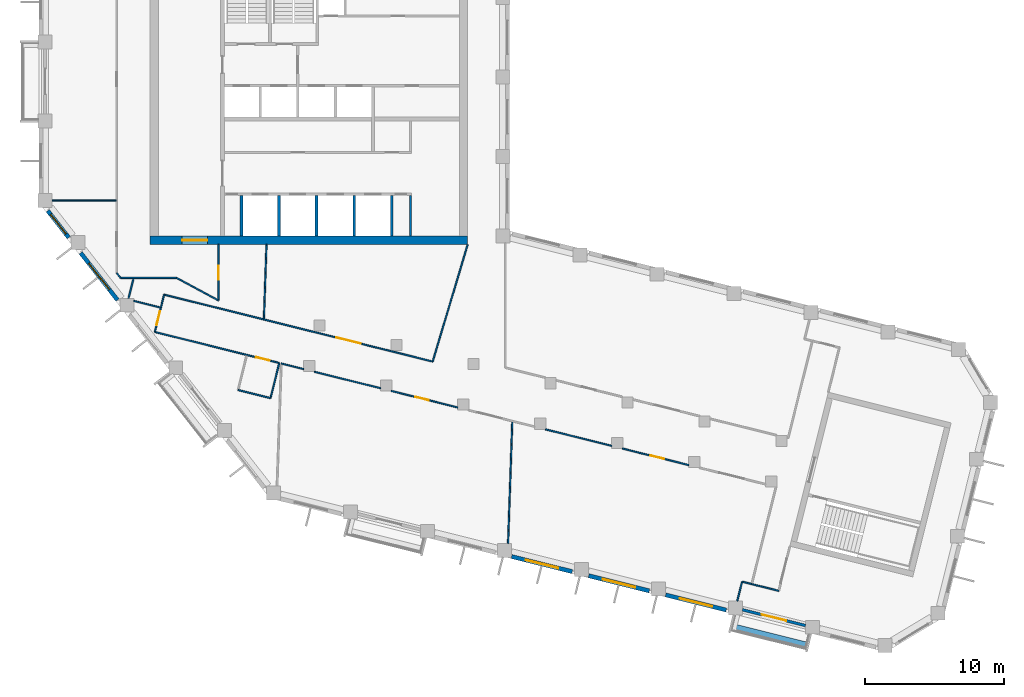
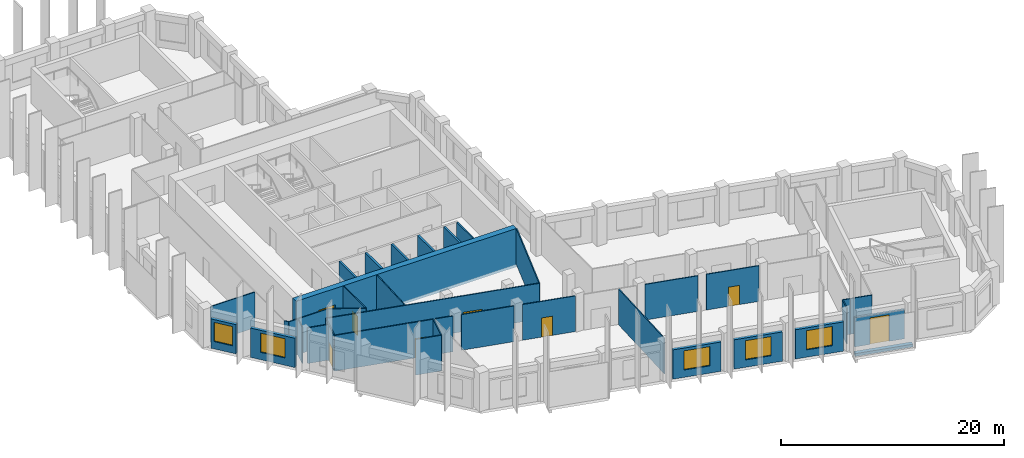
# One storey, part 3 of 9: 37 walls, 8 doors, 5 windows, 13 openings.
"""IFC4 building model written with IfcOpenShell, lengths in metres."""

from ifc_helpers import new_model, si_unit, direction, frame, frame_2d, origin, place, context, subcontext, project, spatial, rectangle, extrude, material, layer, layer_set, type_object, element, fill, save


model = new_model("IFC4")

# Units and contexts
model_context = context("Model", 3, precision=1e-05, world=origin(), true_north=direction((0.0, 1.0)))
body_context = subcontext(model_context, "Body", "Model", "MODEL_VIEW")
ifc_project = project(units=[si_unit("LENGTHUNIT", "METRE"), si_unit("AREAUNIT", "SQUARE_METRE"), si_unit("VOLUMEUNIT", "CUBIC_METRE"), si_unit("PLANEANGLEUNIT", "RADIAN"), si_unit("MASSUNIT", "GRAM", prefix="KILO")], contexts=[model_context])

# Site, building, storey
site_placement = place(None, origin())
site = spatial("IfcSite", under=ifc_project, at=site_placement, CompositionType="ELEMENT")
building_placement = place(site_placement, origin())
building = spatial("IfcBuilding", under=site, at=building_placement, Name="Meshkara Civic Tower", CompositionType="ELEMENT")
storey_placement = place(building_placement, frame((0.0, 0.0, 340.199951171875)))
storey = spatial("IfcBuildingStorey", under=building, at=storey_placement, Name="L78", CompositionType="ELEMENT", Elevation=340.199951171875)

# Wall
ifc_material_1 = material(Name="Blockwork", Category="masonry")
ifc_layer_1 = layer(ifc_material_1, 0.14990234375)
ifc_layer_set_1 = layer_set([ifc_layer_1], Name="Core partition 150")
wall_type_1 = type_object("IfcWallType", Name="Core partition 150", PredefinedType="PARTITIONING", material=ifc_layer_set_1)
wall_1_placement = place(storey_placement, frame((26.699951171875, 14.699951171875, 0.0), z_axis=(0.0, 0.0, 1.0), x_axis=(0.0, 1.0, 0.0)))
element("IfcWall", 1, at=wall_1_placement, inside=storey, type_object=wall_type_1, Name="L78-C024", PredefinedType="PARTITIONING", context=body_context, shape_type="SweptSolid", body=[
    extrude(rectangle(XDim=2.900146484375, YDim=0.14990234375, at=frame_2d((1.4501953125, 0.0))), origin(), (0.0, 0.0, 1.0), 3.900146484375),
])

# Wall, opening, door
ifc_material_2 = material(Name="Concrete C60", Category="concrete")
ifc_layer_2 = layer(ifc_material_2, 0.60009765625)
ifc_layer_set_2 = layer_set([ifc_layer_2], Name="Core ring wall 600 C60")
wall_type_2 = type_object("IfcWallType", Name="Core ring wall 600 C60", PredefinedType="SHEAR", material=ifc_layer_set_2)
wall_2_placement = place(storey_placement, frame((8.0, 14.39990234375, -0.300048828125), z_axis=(0.0, 0.0, 1.0), x_axis=(1.0, 0.0, 0.0)))
wall_2 = element("IfcWall", 2, at=wall_2_placement, inside=storey, type_object=wall_type_2, Name="L78-C001", PredefinedType="SHEAR", context=body_context, shape_type="SweptSolid", body=[
    extrude(rectangle(XDim=22.800048828125, YDim=0.60009765625, at=frame_2d((11.39990234375, 0.0))), origin(), (0.0, 0.0, 1.0), 4.2001953125),
])
opening_1_placement = place(wall_2_placement, frame((2.300048828125, 0.0, 0.300048828125)))
opening_1 = element("IfcOpeningElement", 3, at=opening_1_placement, cuts=wall_2, Name="Opening L78-K022", PredefinedType="OPENING", context=body_context, shape_type="SweptSolid", body=[
    extrude(rectangle(XDim=1.800048828125, YDim=2.10009765625, at=frame_2d((0.89990234375, 1.050048828125))), frame((0.0, 0.31005859375, 0.0), z_axis=(0.0, -1.0, 0.0), x_axis=(1.0, 0.0, 0.0)), (0.0, 0.0, 1.0), 0.6201171875),
])
ifc_material_3 = material(Name="Fire-rated door leaf in steel frame", Category="steel")
door_type_1 = type_object("IfcDoorType", Name="Core double door 1800 EI 60", OperationType="DOUBLE_DOOR_SINGLE_SWING", PredefinedType="DOOR", material=ifc_material_3)
door_1_placement = place(opening_1_placement, origin())
door_1 = element("IfcDoor", 4, at=door_1_placement, inside=storey, type_object=door_type_1, Name="L78-K022", OperationType="DOUBLE_DOOR_SINGLE_SWING", OverallHeight=2.10009765625, OverallWidth=1.800048828125, PredefinedType="DOOR", context=body_context, shape_type="SweptSolid", body=[
    extrude(rectangle(XDim=1.800048828125, YDim=2.10009765625, at=frame_2d((0.89990234375, 1.050048828125))), frame((0.0, 0.02490234375, 0.0), z_axis=(0.0, -1.0, 0.0), x_axis=(1.0, 0.0, 0.0)), (0.0, 0.0, 1.0), 0.050048828125),
])
fill(opening_1, door_1)

# Walls
ifc_material_4 = material(Name="Corridor wall 100")
ifc_layer_3 = layer(ifc_material_4, 0.10009765625)
ifc_layer_set_3 = layer_set([ifc_layer_3], Name="Corridor wall 100")
wall_type_3 = type_object("IfcWallType", Name="Corridor wall 100", PredefinedType="PARTITIONING", material=ifc_layer_set_3)
wall_3_placement = place(storey_placement, frame((5.60009765625, 12.0439453125, 0.0), z_axis=(0.0, 0.0, 1.0), x_axis=(0.614328236968, -0.789050579661, 0.0)))
element("IfcWall", 5, at=wall_3_placement, inside=storey, type_object=wall_type_3, Name="L78-W003", PredefinedType="PARTITIONING", context=body_context, shape_type="SweptSolid", body=[
    extrude(rectangle(XDim=0.43603515625, YDim=0.10009765625, at=frame_2d((0.218017578125, 0.0))), origin(), (0.0, 0.0, 1.0), 3.900146484375),
])
wall_4_placement = place(storey_placement, frame((5.867919921875, 11.699951171875, 0.0), z_axis=(0.0, 0.0, 1.0), x_axis=(1.0, 0.0, 0.0)))
element("IfcWall", 6, at=wall_4_placement, inside=storey, type_object=wall_type_3, Name="L78-W006", PredefinedType="PARTITIONING", context=body_context, shape_type="SweptSolid", body=[
    extrude(rectangle(XDim=4.031982421875, YDim=0.10009765625, at=frame_2d((2.01611328125, 0.0))), origin(), (0.0, 0.0, 1.0), 3.900146484375),
])

# Wall, opening, door
wall_5_placement = place(storey_placement, frame((8.3330078125, 7.81494140625, 0.0), z_axis=(0.0, 0.0, 1.0), x_axis=(0.970301331289, -0.241899414012, 0.0)))
wall_5 = element("IfcWall", 7, at=wall_5_placement, inside=storey, type_object=wall_type_3, Name="L78-W007", PredefinedType="PARTITIONING", context=body_context, shape_type="SweptSolid", body=[
    extrude(rectangle(XDim=9.21044921875, YDim=0.10009765625, at=frame_2d((4.605224609375, 0.0))), origin(), (0.0, 0.0, 1.0), 3.900146484375),
])
opening_2_placement = place(wall_5_placement, frame((7.489990234375, 0.0, 0.0)))
opening_2 = element("IfcOpeningElement", 8, at=opening_2_placement, cuts=wall_5, Name="Opening L78-D004", PredefinedType="OPENING", context=body_context, shape_type="SweptSolid", body=[
    extrude(rectangle(XDim=1.0, YDim=2.10009765625, at=frame_2d((0.5, 1.050048828125))), frame((0.0, 0.06005859375, 0.0), z_axis=(0.0, -1.0, 0.0), x_axis=(1.0, 0.0, 0.0)), (0.0, 0.0, 1.0), 0.1201171875),
])
ifc_material_5 = material(Name="Door 1000 x 2100")
door_type_2 = type_object("IfcDoorType", Name="Door 1000 x 2100", OperationType="SINGLE_SWING_LEFT", PredefinedType="DOOR", material=ifc_material_5)
door_2_placement = place(opening_2_placement, origin())
door_2 = element("IfcDoor", 9, at=door_2_placement, inside=storey, type_object=door_type_2, Name="L78-D004", OperationType="SINGLE_SWING_RIGHT", OverallHeight=2.10009765625, OverallWidth=1.0, PredefinedType="DOOR", context=body_context, shape_type="SweptSolid", body=[
    extrude(rectangle(XDim=1.0, YDim=2.10009765625, at=frame_2d((0.5, 1.050048828125))), frame((0.0, 0.02490234375, 0.0), z_axis=(0.0, -1.0, 0.0), x_axis=(1.0, 0.0, 0.0)), (0.0, 0.0, 1.0), 0.050048828125),
])
fill(opening_2, door_2)

wall_6_placement = place(storey_placement, frame((9.001953125, 10.4990234375, 0.0), z_axis=(0.0, 0.0, 1.0), x_axis=(0.970298340477, -0.241911410372, 0.0)))
wall_6 = element("IfcWall", 10, at=wall_6_placement, inside=storey, type_object=wall_type_3, Name="L78-W008", PredefinedType="PARTITIONING", context=body_context, shape_type="SweptSolid", body=[
    extrude(rectangle(XDim=19.879638671875, YDim=0.10009765625, at=frame_2d((9.93994140625, 0.0))), origin(), (0.0, 0.0, 1.0), 3.900146484375),
])
opening_3_placement = place(wall_6_placement, frame((12.7490234375, 0.0, 0.0)))
opening_3 = element("IfcOpeningElement", 11, at=opening_3_placement, cuts=wall_6, Name="Opening L78-D010", PredefinedType="OPENING", context=body_context, shape_type="SweptSolid", body=[
    extrude(rectangle(XDim=1.800048828125, YDim=2.10009765625, at=frame_2d((0.89990234375, 1.050048828125))), frame((0.0, 0.06005859375, 0.0), z_axis=(0.0, -1.0, 0.0), x_axis=(1.0, 0.0, 0.0)), (0.0, 0.0, 1.0), 0.1201171875),
])
ifc_material_6 = material(Name="Door pair 1800 x 2100")
door_type_3 = type_object("IfcDoorType", Name="Door pair 1800 x 2100", OperationType="SINGLE_SWING_LEFT", PredefinedType="DOOR", material=ifc_material_6)
door_3_placement = place(opening_3_placement, origin())
door_3 = element("IfcDoor", 12, at=door_3_placement, inside=storey, type_object=door_type_3, Name="L78-D010", OperationType="DOUBLE_DOOR_SINGLE_SWING", OverallHeight=2.10009765625, OverallWidth=1.800048828125, PredefinedType="DOOR", context=body_context, shape_type="SweptSolid", body=[
    extrude(rectangle(XDim=1.800048828125, YDim=2.10009765625, at=frame_2d((0.89990234375, 1.050048828125))), frame((0.0, 0.02490234375, 0.0), z_axis=(0.0, -1.0, 0.0), x_axis=(1.0, 0.0, 0.0)), (0.0, 0.0, 1.0), 0.050048828125),
])
fill(opening_3, door_3)

wall_7_placement = place(storey_placement, frame((9.001953125, 10.4990234375, 0.0), z_axis=(0.0, 0.0, 1.0), x_axis=(-0.2418294893, -0.970318761081, 0.0)))
wall_7 = element("IfcWall", 13, at=wall_7_placement, inside=storey, type_object=wall_type_3, Name="L78-W009", PredefinedType="PARTITIONING", context=body_context, shape_type="SweptSolid", body=[
    extrude(rectangle(XDim=2.76611328125, YDim=0.10009765625, at=frame_2d((1.383056640625, 0.0))), origin(), (0.0, 0.0, 1.0), 3.900146484375),
])
opening_4_placement = place(wall_7_placement, frame((1.243896484375, 0.0, 0.0)))
opening_4 = element("IfcOpeningElement", 14, at=opening_4_placement, cuts=wall_7, Name="Opening L78-D009", PredefinedType="OPENING", context=body_context, shape_type="SweptSolid", body=[
    extrude(rectangle(XDim=1.0, YDim=2.10009765625, at=frame_2d((0.5, 1.050048828125))), frame((0.0, 0.06005859375, 0.0), z_axis=(0.0, -1.0, 0.0), x_axis=(1.0, 0.0, 0.0)), (0.0, 0.0, 1.0), 0.1201171875),
])
door_4_placement = place(opening_4_placement, origin())
door_4 = element("IfcDoor", 15, at=door_4_placement, inside=storey, type_object=door_type_2, Name="L78-D009", OperationType="SINGLE_SWING_RIGHT", OverallHeight=2.10009765625, OverallWidth=1.0, PredefinedType="DOOR", context=body_context, shape_type="SweptSolid", body=[
    extrude(rectangle(XDim=1.0, YDim=2.10009765625, at=frame_2d((0.5, 1.050048828125))), frame((0.0, 0.02490234375, 0.0), z_axis=(0.0, -1.0, 0.0), x_axis=(1.0, 0.0, 0.0)), (0.0, 0.0, 1.0), 0.050048828125),
])
fill(opening_4, door_4)

# Wall
wall_8_placement = place(storey_placement, frame((9.89990234375, 11.699951171875, 0.0), z_axis=(0.0, 0.0, 1.0), x_axis=(0.87965147249, -0.475618846291, 0.0)))
element("IfcWall", 16, at=wall_8_placement, inside=storey, type_object=wall_type_3, Name="L78-W010", PredefinedType="PARTITIONING", context=body_context, shape_type="SweptSolid", body=[
    extrude(rectangle(XDim=3.410400390625, YDim=0.10009765625, at=frame_2d((1.705078125, 0.0))), origin(), (0.0, 0.0, 1.0), 3.900146484375),
])

# Wall, opening, door
wall_9_placement = place(storey_placement, frame((12.89990234375, 10.077880859375, 0.0), z_axis=(0.0, 0.0, 1.0), x_axis=(0.0, 1.0, 0.0)))
wall_9 = element("IfcWall", 17, at=wall_9_placement, inside=storey, type_object=wall_type_3, Name="L78-W015", PredefinedType="PARTITIONING", context=body_context, shape_type="SweptSolid", body=[
    extrude(rectangle(XDim=4.022216796875, YDim=0.10009765625, at=frame_2d((2.01123046875, 0.0))), origin(), (0.0, 0.0, 1.0), 3.900146484375),
])
opening_5_placement = place(wall_9_placement, frame((1.47998046875, 0.0, 0.0)))
opening_5 = element("IfcOpeningElement", 18, at=opening_5_placement, cuts=wall_9, Name="Opening L78-D013", PredefinedType="OPENING", context=body_context, shape_type="SweptSolid", body=[
    extrude(rectangle(XDim=1.0, YDim=2.10009765625, at=frame_2d((0.5, 1.050048828125))), frame((0.0, 0.06005859375, 0.0), z_axis=(0.0, -1.0, 0.0), x_axis=(1.0, 0.0, 0.0)), (0.0, 0.0, 1.0), 0.1201171875),
])
door_5_placement = place(opening_5_placement, origin())
door_5 = element("IfcDoor", 19, at=door_5_placement, inside=storey, type_object=door_type_2, Name="L78-D013", OperationType="SINGLE_SWING_RIGHT", OverallHeight=2.10009765625, OverallWidth=1.0, PredefinedType="DOOR", context=body_context, shape_type="SweptSolid", body=[
    extrude(rectangle(XDim=1.0, YDim=2.10009765625, at=frame_2d((0.5, 1.050048828125))), frame((0.0, 0.02490234375, 0.0), z_axis=(0.0, -1.0, 0.0), x_axis=(1.0, 0.0, 0.0)), (0.0, 0.0, 1.0), 0.050048828125),
])
fill(opening_5, door_5)

# Walls
wall_10_placement = place(storey_placement, frame((17.4150390625, 5.551025390625, 0.0), z_axis=(0.0, 0.0, 1.0), x_axis=(0.970298198748, -0.241911978838, 0.0)))
element("IfcWall", 20, at=wall_10_placement, inside=storey, type_object=wall_type_3, Name="L78-W016", PredefinedType="PARTITIONING", context=body_context, shape_type="SweptSolid", body=[
    extrude(rectangle(XDim=1.658203125, YDim=0.10009765625, at=frame_2d((0.8291015625, 0.0))), origin(), (0.0, 0.0, 1.0), 3.900146484375),
])
wall_11_placement = place(storey_placement, frame((19.785888671875, 4.9599609375, 0.0), z_axis=(0.0, 0.0, 1.0), x_axis=(0.970288447449, -0.24195108751, 0.0)))
element("IfcWall", 21, at=wall_11_placement, inside=storey, type_object=wall_type_3, Name="L78-W017", PredefinedType="PARTITIONING", context=body_context, shape_type="SweptSolid", body=[
    extrude(rectangle(XDim=4.9140625, YDim=0.10009765625, at=frame_2d((2.45703125, 0.0))), origin(), (0.0, 0.0, 1.0), 3.900146484375),
])

# Wall, opening, door
wall_12_placement = place(storey_placement, frame((25.318115234375, 3.5810546875, 0.0), z_axis=(0.0, 0.0, 1.0), x_axis=(0.970320559999, -0.241822271189, 0.0)))
wall_12 = element("IfcWall", 22, at=wall_12_placement, inside=storey, type_object=wall_type_3, Name="L78-W020", PredefinedType="PARTITIONING", context=body_context, shape_type="SweptSolid", body=[
    extrude(rectangle(XDim=4.91259765625, YDim=0.10009765625, at=frame_2d((2.456298828125, 0.0))), origin(), (0.0, 0.0, 1.0), 3.900146484375),
])
opening_6_placement = place(wall_12_placement, frame((1.780029296875, 0.0, 0.0)))
opening_6 = element("IfcOpeningElement", 23, at=opening_6_placement, cuts=wall_12, Name="Opening L78-D005", PredefinedType="OPENING", context=body_context, shape_type="SweptSolid", body=[
    extrude(rectangle(XDim=1.0, YDim=2.10009765625, at=frame_2d((0.5, 1.050048828125))), frame((0.0, 0.06005859375, 0.0), z_axis=(0.0, -1.0, 0.0), x_axis=(1.0, 0.0, 0.0)), (0.0, 0.0, 1.0), 0.1201171875),
])
door_6_placement = place(opening_6_placement, origin())
door_6 = element("IfcDoor", 24, at=door_6_placement, inside=storey, type_object=door_type_2, Name="L78-D005", OperationType="SINGLE_SWING_RIGHT", OverallHeight=2.10009765625, OverallWidth=1.0, PredefinedType="DOOR", context=body_context, shape_type="SweptSolid", body=[
    extrude(rectangle(XDim=1.0, YDim=2.10009765625, at=frame_2d((0.5, 1.050048828125))), frame((0.0, 0.02490234375, 0.0), z_axis=(0.0, -1.0, 0.0), x_axis=(1.0, 0.0, 0.0)), (0.0, 0.0, 1.0), 0.050048828125),
])
fill(opening_6, door_6)

# Walls
wall_13_placement = place(storey_placement, frame((30.800048828125, 14.10009765625, 0.0), z_axis=(0.0, 0.0, 1.0), x_axis=(-0.28588265334, -0.958264633867, 0.0)))
element("IfcWall", 25, at=wall_13_placement, inside=storey, type_object=wall_type_3, Name="L78-W021", PredefinedType="PARTITIONING", context=body_context, shape_type="SweptSolid", body=[
    extrude(rectangle(XDim=8.7763671875, YDim=0.10009765625, at=frame_2d((4.38818359375, 0.0))), origin(), (0.0, 0.0, 1.0), 3.900146484375),
])
wall_14_placement = place(storey_placement, frame((36.382080078125, 0.822998046875, 0.0), z_axis=(0.0, 0.0, 1.0), x_axis=(0.970285656006, -0.241962281665, 0.0)))
element("IfcWall", 26, at=wall_14_placement, inside=storey, type_object=wall_type_3, Name="L78-W025", PredefinedType="PARTITIONING", context=body_context, shape_type="SweptSolid", body=[
    extrude(rectangle(XDim=4.909912109375, YDim=0.10009765625, at=frame_2d((2.455078125, 0.0))), origin(), (0.0, 0.0, 1.0), 3.900146484375),
])

# Wall, opening, door
wall_15_placement = place(storey_placement, frame((41.9130859375, -0.555908203125, 0.0), z_axis=(0.0, 0.0, 1.0), x_axis=(0.970285656006, -0.241962281665, 0.0)))
wall_15 = element("IfcWall", 27, at=wall_15_placement, inside=storey, type_object=wall_type_3, Name="L78-W027", PredefinedType="PARTITIONING", context=body_context, shape_type="SweptSolid", body=[
    extrude(rectangle(XDim=4.909912109375, YDim=0.10009765625, at=frame_2d((2.455078125, 0.0))), origin(), (0.0, 0.0, 1.0), 3.900146484375),
])
opening_7_placement = place(wall_15_placement, frame((2.080078125, 0.0, 0.0)))
opening_7 = element("IfcOpeningElement", 28, at=opening_7_placement, cuts=wall_15, Name="Opening L78-D002", PredefinedType="OPENING", context=body_context, shape_type="SweptSolid", body=[
    extrude(rectangle(XDim=1.0, YDim=2.10009765625, at=frame_2d((0.5, 1.050048828125))), frame((0.0, 0.06005859375, 0.0), z_axis=(0.0, -1.0, 0.0), x_axis=(1.0, 0.0, 0.0)), (0.0, 0.0, 1.0), 0.1201171875),
])
door_7_placement = place(opening_7_placement, origin())
door_7 = element("IfcDoor", 29, at=door_7_placement, inside=storey, type_object=door_type_2, Name="L78-D002", OperationType="SINGLE_SWING_LEFT", OverallHeight=2.10009765625, OverallWidth=1.0, PredefinedType="DOOR", context=body_context, shape_type="SweptSolid", body=[
    extrude(rectangle(XDim=1.0, YDim=2.10009765625, at=frame_2d((0.5, 1.050048828125))), frame((0.0, 0.02490234375, 0.0), z_axis=(0.0, -1.0, 0.0), x_axis=(1.0, 0.0, 0.0)), (0.0, 0.0, 1.0), 0.050048828125),
])
fill(opening_7, door_7)

# Wall
wall_16_placement = place(storey_placement, frame((51.200927734375, -10.2919921875, 0.0), z_axis=(0.0, 0.0, 1.0), x_axis=(0.970307382734, -0.241875139301, 0.0)))
element("IfcWall", 30, at=wall_16_placement, inside=storey, type_object=wall_type_3, Name="L78-W031", PredefinedType="PARTITIONING", context=body_context, shape_type="SweptSolid", body=[
    extrude(rectangle(XDim=2.00048828125, YDim=0.10009765625, at=frame_2d((1.000244140625, 0.0))), origin(), (0.0, 0.0, 1.0), 3.900146484375),
])

# Wall, opening, window
ifc_material_7 = material(Name="Insulated infill panel with bronze anodised aluminium cladding", Category="aluminium")
ifc_layer_4 = layer(ifc_material_7, 0.300048828125)
ifc_layer_set_4 = layer_set([ifc_layer_4], Name="EXTERNAL INFILL WALL 300")
wall_type_4 = type_object("IfcWallType", Name="EXTERNAL INFILL WALL 300", PredefinedType="SOLIDWALL", material=ifc_layer_set_4)
wall_17_placement = place(storey_placement, frame((0.64599609375, 16.51708984375, 0.0), z_axis=(0.0, 0.0, 1.0), x_axis=(0.615610986717, -0.788050197026, 0.0)))
wall_17 = element("IfcWall", 31, at=wall_17_placement, inside=storey, type_object=wall_type_4, Name="External wall", PredefinedType="SOLIDWALL", context=body_context, shape_type="SweptSolid", body=[
    extrude(rectangle(XDim=2.4365234375, YDim=0.300048828125, at=frame_2d((1.21826171875, 0.0))), origin(), (0.0, 0.0, 1.0), 3.199951171875),
])
opening_8_placement = place(wall_17_placement, frame((0.318115234375, 0.0, 0.800048828125)))
opening_8 = element("IfcOpeningElement", 32, at=opening_8_placement, cuts=wall_17, Name="Opening W9", PredefinedType="OPENING", context=body_context, shape_type="SweptSolid", body=[
    extrude(rectangle(XDim=1.800048828125, YDim=2.10009765625, at=frame_2d((0.89990234375, 1.050048828125))), frame((0.0, 0.159912109375, 0.0), z_axis=(0.0, -1.0, 0.0), x_axis=(1.0, 0.0, 0.0)), (0.0, 0.0, 1.0), 0.320068359375),
])
ifc_material_8 = material(Name="Tinted double glazing", Category="glass")
window_type_1 = type_object("IfcWindowType", Name="WINDOW 1800x2100", PartitioningType="DOUBLE_PANEL_VERTICAL", PredefinedType="WINDOW", material=ifc_material_8)
window_1_placement = place(opening_8_placement, origin())
window_1 = element("IfcWindow", 33, at=window_1_placement, inside=storey, type_object=window_type_1, Name="Window", OverallHeight=2.10009765625, OverallWidth=1.800048828125, PartitioningType="DOUBLE_PANEL_VERTICAL", PredefinedType="WINDOW", context=body_context, shape_type="SweptSolid", body=[
    extrude(rectangle(XDim=1.800048828125, YDim=2.10009765625, at=frame_2d((0.89990234375, 1.050048828125))), frame((0.0, 0.030029296875, 0.0), z_axis=(0.0, -1.0, 0.0), x_axis=(1.0, 0.0, 0.0)), (0.0, 0.0, 1.0), 0.06005859375),
])
fill(opening_8, window_1)

wall_18_placement = place(storey_placement, frame((3.010009765625, 13.490966796875, 0.0), z_axis=(0.0, 0.0, 1.0), x_axis=(0.615713519567, -0.787970089421, 0.0)))
wall_18 = element("IfcWall", 34, at=wall_18_placement, inside=storey, type_object=wall_type_4, Name="External wall", PredefinedType="SOLIDWALL", context=body_context, shape_type="SweptSolid", body=[
    extrude(rectangle(XDim=4.2958984375, YDim=0.300048828125, at=frame_2d((2.14794921875, 0.0))), origin(), (0.0, 0.0, 1.0), 3.199951171875),
])
opening_9_placement = place(wall_18_placement, frame((0.947998046875, 0.0, 0.800048828125)))
opening_9 = element("IfcOpeningElement", 35, at=opening_9_placement, cuts=wall_18, Name="Opening W7", PredefinedType="OPENING", context=body_context, shape_type="SweptSolid", body=[
    extrude(rectangle(XDim=2.39990234375, YDim=2.10009765625, at=frame_2d((1.199951171875, 1.050048828125))), frame((0.0, 0.159912109375, 0.0), z_axis=(0.0, -1.0, 0.0), x_axis=(1.0, 0.0, 0.0)), (0.0, 0.0, 1.0), 0.320068359375),
])
ifc_material_9 = material(Name="Tinted double glazing", Category="glass")
window_type_2 = type_object("IfcWindowType", Name="WINDOW 2400x2100", PartitioningType="DOUBLE_PANEL_VERTICAL", PredefinedType="WINDOW", material=ifc_material_9)
window_2_placement = place(opening_9_placement, origin())
window_2 = element("IfcWindow", 36, at=window_2_placement, inside=storey, type_object=window_type_2, Name="Window", OverallHeight=2.10009765625, OverallWidth=2.39990234375, PartitioningType="DOUBLE_PANEL_VERTICAL", PredefinedType="WINDOW", context=body_context, shape_type="SweptSolid", body=[
    extrude(rectangle(XDim=2.39990234375, YDim=2.10009765625, at=frame_2d((1.199951171875, 1.050048828125))), frame((0.0, 0.030029296875, 0.0), z_axis=(0.0, -1.0, 0.0), x_axis=(1.0, 0.0, 0.0)), (0.0, 0.0, 1.0), 0.06005859375),
])
fill(opening_9, window_2)

wall_19_placement = place(storey_placement, frame((33.958984375, -8.31201171875, 0.0), z_axis=(0.0, 0.0, 1.0), x_axis=(0.970276766004, -0.241997928406, 0.0)))
wall_19 = element("IfcWall", 37, at=wall_19_placement, inside=storey, type_object=wall_type_4, Name="External wall", PredefinedType="SOLIDWALL", context=body_context, shape_type="SweptSolid", body=[
    extrude(rectangle(XDim=4.4873046875, YDim=0.300048828125, at=frame_2d((2.24365234375, 0.0))), origin(), (0.0, 0.0, 1.0), 3.199951171875),
])
opening_10_placement = place(wall_19_placement, frame((1.0439453125, 0.0, 0.800048828125)))
opening_10 = element("IfcOpeningElement", 38, at=opening_10_placement, cuts=wall_19, Name="Opening W7", PredefinedType="OPENING", context=body_context, shape_type="SweptSolid", body=[
    extrude(rectangle(XDim=2.39990234375, YDim=2.10009765625, at=frame_2d((1.199951171875, 1.050048828125))), frame((0.0, 0.159912109375, 0.0), z_axis=(0.0, -1.0, 0.0), x_axis=(1.0, 0.0, 0.0)), (0.0, 0.0, 1.0), 0.320068359375),
])
window_3_placement = place(opening_10_placement, origin())
window_3 = element("IfcWindow", 39, at=window_3_placement, inside=storey, type_object=window_type_2, Name="Window", OverallHeight=2.10009765625, OverallWidth=2.39990234375, PartitioningType="DOUBLE_PANEL_VERTICAL", PredefinedType="WINDOW", context=body_context, shape_type="SweptSolid", body=[
    extrude(rectangle(XDim=2.39990234375, YDim=2.10009765625, at=frame_2d((1.199951171875, 1.050048828125))), frame((0.0, 0.030029296875, 0.0), z_axis=(0.0, -1.0, 0.0), x_axis=(1.0, 0.0, 0.0)), (0.0, 0.0, 1.0), 0.06005859375),
])
fill(opening_10, window_3)

wall_20_placement = place(storey_placement, frame((39.489990234375, -9.69189453125, 0.0), z_axis=(0.0, 0.0, 1.0), x_axis=(0.970302346682, -0.241895341054, 0.0)))
wall_20 = element("IfcWall", 40, at=wall_20_placement, inside=storey, type_object=wall_type_4, Name="External wall", PredefinedType="SOLIDWALL", context=body_context, shape_type="SweptSolid", body=[
    extrude(rectangle(XDim=4.486328125, YDim=0.300048828125, at=frame_2d((2.2431640625, 0.0))), origin(), (0.0, 0.0, 1.0), 3.199951171875),
])
opening_11_placement = place(wall_20_placement, frame((1.0439453125, 0.0, 0.800048828125)))
opening_11 = element("IfcOpeningElement", 41, at=opening_11_placement, cuts=wall_20, Name="Opening W7", PredefinedType="OPENING", context=body_context, shape_type="SweptSolid", body=[
    extrude(rectangle(XDim=2.39990234375, YDim=2.10009765625, at=frame_2d((1.199951171875, 1.050048828125))), frame((0.0, 0.159912109375, 0.0), z_axis=(0.0, -1.0, 0.0), x_axis=(1.0, 0.0, 0.0)), (0.0, 0.0, 1.0), 0.320068359375),
])
window_4_placement = place(opening_11_placement, origin())
window_4 = element("IfcWindow", 42, at=window_4_placement, inside=storey, type_object=window_type_2, Name="Window", OverallHeight=2.10009765625, OverallWidth=2.39990234375, PartitioningType="DOUBLE_PANEL_VERTICAL", PredefinedType="WINDOW", context=body_context, shape_type="SweptSolid", body=[
    extrude(rectangle(XDim=2.39990234375, YDim=2.10009765625, at=frame_2d((1.199951171875, 1.050048828125))), frame((0.0, 0.030029296875, 0.0), z_axis=(0.0, -1.0, 0.0), x_axis=(1.0, 0.0, 0.0)), (0.0, 0.0, 1.0), 0.06005859375),
])
fill(opening_11, window_4)

wall_21_placement = place(storey_placement, frame((45.02001953125, -11.070068359375, 0.0), z_axis=(0.0, 0.0, 1.0), x_axis=(0.970276766004, -0.241997928406, 0.0)))
wall_21 = element("IfcWall", 43, at=wall_21_placement, inside=storey, type_object=wall_type_4, Name="External wall", PredefinedType="SOLIDWALL", context=body_context, shape_type="SweptSolid", body=[
    extrude(rectangle(XDim=4.4873046875, YDim=0.300048828125, at=frame_2d((2.24365234375, 0.0))), origin(), (0.0, 0.0, 1.0), 3.199951171875),
])
opening_12_placement = place(wall_21_placement, frame((1.0439453125, 0.0, 0.800048828125)))
opening_12 = element("IfcOpeningElement", 44, at=opening_12_placement, cuts=wall_21, Name="Opening W7", PredefinedType="OPENING", context=body_context, shape_type="SweptSolid", body=[
    extrude(rectangle(XDim=2.39990234375, YDim=2.10009765625, at=frame_2d((1.199951171875, 1.050048828125))), frame((0.0, 0.159912109375, 0.0), z_axis=(0.0, -1.0, 0.0), x_axis=(1.0, 0.0, 0.0)), (0.0, 0.0, 1.0), 0.320068359375),
])
window_5_placement = place(opening_12_placement, origin())
window_5 = element("IfcWindow", 45, at=window_5_placement, inside=storey, type_object=window_type_2, Name="Window", OverallHeight=2.10009765625, OverallWidth=2.39990234375, PartitioningType="DOUBLE_PANEL_VERTICAL", PredefinedType="WINDOW", context=body_context, shape_type="SweptSolid", body=[
    extrude(rectangle(XDim=2.39990234375, YDim=2.10009765625, at=frame_2d((1.199951171875, 1.050048828125))), frame((0.0, 0.030029296875, 0.0), z_axis=(0.0, -1.0, 0.0), x_axis=(1.0, 0.0, 0.0)), (0.0, 0.0, 1.0), 0.06005859375),
])
fill(opening_12, window_5)

# Wall, opening, door
ifc_material_10 = material(Name="Insulated infill panel with bronze anodised aluminium cladding", Category="aluminium")
ifc_layer_5 = layer(ifc_material_10, 0.199951171875)
ifc_layer_set_5 = layer_set([ifc_layer_5], Name="LOGGIA BACK WALL 200")
wall_type_5 = type_object("IfcWallType", Name="LOGGIA BACK WALL 200", PredefinedType="SOLIDWALL", material=ifc_layer_set_5)
wall_22_placement = place(storey_placement, frame((50.534912109375, -12.135986328125, 0.0), z_axis=(0.0, 0.0, 1.0), x_axis=(0.970274594963, -0.242006632905, 0.0)))
wall_22 = element("IfcWall", 46, at=wall_22_placement, inside=storey, type_object=wall_type_5, Name="Loggia wall", PredefinedType="SOLIDWALL", context=body_context, shape_type="SweptSolid", body=[
    extrude(rectangle(XDim=4.669921875, YDim=0.199951171875, at=frame_2d((2.3349609375, 0.0))), origin(), (0.0, 0.0, 1.0), 3.199951171875),
])
opening_13_placement = place(wall_22_placement, frame((1.43408203125, 0.0, 0.0)))
opening_13 = element("IfcOpeningElement", 47, at=opening_13_placement, cuts=wall_22, Name="Opening L78-L004", PredefinedType="OPENING", context=body_context, shape_type="SweptSolid", body=[
    extrude(rectangle(XDim=1.800048828125, YDim=2.89990234375, at=frame_2d((0.89990234375, 1.449951171875))), frame((0.0, 0.10986328125, 0.0), z_axis=(0.0, -1.0, 0.0), x_axis=(1.0, 0.0, 0.0)), (0.0, 0.0, 1.0), 0.219970703125),
])
ifc_material_11 = material(Name="Tinted double glazing", Category="glass")
door_type_4 = type_object("IfcDoorType", Name="LOGGIA DOOR 1800x2900", OperationType="DOUBLE_DOOR_SINGLE_SWING", PredefinedType="DOOR", material=ifc_material_11)
door_8_placement = place(opening_13_placement, origin())
door_8 = element("IfcDoor", 48, at=door_8_placement, inside=storey, type_object=door_type_4, Name="L78-L004", OperationType="DOUBLE_DOOR_SINGLE_SWING", OverallHeight=2.89990234375, OverallWidth=1.800048828125, PredefinedType="DOOR", context=body_context, shape_type="SweptSolid", body=[
    extrude(rectangle(XDim=1.800048828125, YDim=2.89990234375, at=frame_2d((0.89990234375, 1.449951171875))), frame((0.0, 0.02490234375, 0.0), z_axis=(0.0, -1.0, 0.0), x_axis=(1.0, 0.0, 0.0)), (0.0, 0.0, 1.0), 0.050048828125),
])
fill(opening_13, door_8)

# Walls
ifc_material_12 = material(Name="Concrete C40", Category="concrete")
ifc_layer_6 = layer(ifc_material_12, 0.39990234375)
ifc_layer_set_6 = layer_set([ifc_layer_6], Name="PLANTER TRAY")
wall_type_6 = type_object("IfcWallType", Name="PLANTER TRAY", PredefinedType="SOLIDWALL", material=ifc_layer_set_6)
wall_23_placement = place(storey_placement, frame((49.8779296875, -13.343017578125, 0.0), z_axis=(0.0, 0.0, 1.0), x_axis=(0.970292345375, -0.241935455249, 0.0)))
element("IfcWall", 49, at=wall_23_placement, inside=storey, type_object=wall_type_6, Name="Planter", PredefinedType="SOLIDWALL", context=body_context, shape_type="SweptSolid", body=[
    extrude(rectangle(XDim=5.3603515625, YDim=0.39990234375, at=frame_2d((2.68017578125, 0.0))), origin(), (0.0, 0.0, 1.0), 0.300048828125),
])
ifc_material_13 = material(Name="Partition 100")
ifc_layer_7 = layer(ifc_material_13, 0.10009765625)
ifc_layer_set_7 = layer_set([ifc_layer_7], Name="Partition 100")
wall_type_7 = type_object("IfcWallType", Name="Partition 100", PredefinedType="PARTITIONING", material=ifc_layer_set_7)
wall_24_placement = place(storey_placement, frame((5.550048828125, 17.2548828125, 0.0), z_axis=(0.0, 0.0, 1.0), x_axis=(-1.0, 0.0, 0.0)))
element("IfcWall", 50, at=wall_24_placement, inside=storey, type_object=wall_type_7, Name="L78-W040", PredefinedType="PARTITIONING", context=body_context, shape_type="SweptSolid", body=[
    extrude(rectangle(XDim=4.60009765625, YDim=0.10009765625, at=frame_2d((2.300048828125, 0.0))), origin(), (0.0, 0.0, 1.0), 3.900146484375),
])
wall_25_placement = place(storey_placement, frame((6.797119140625, 11.637939453125, 0.0), z_axis=(0.0, 0.0, 1.0), x_axis=(-0.242456058691, -0.970162388265, 0.0)))
element("IfcWall", 51, at=wall_25_placement, inside=storey, type_object=wall_type_7, Name="L78-W042", PredefinedType="PARTITIONING", context=body_context, shape_type="SweptSolid", body=[
    extrude(rectangle(XDim=1.44384765625, YDim=0.10009765625, at=frame_2d((0.721923828125, 0.0))), origin(), (0.0, 0.0, 1.0), 3.900146484375),
])
wall_26_placement = place(storey_placement, frame((8.719970703125, 9.574951171875, 0.0), z_axis=(0.0, 0.0, 1.0), x_axis=(-0.970274576003, 0.242006708918, 0.0)))
element("IfcWall", 52, at=wall_26_placement, inside=storey, type_object=wall_type_7, Name="L78-W043", PredefinedType="PARTITIONING", context=body_context, shape_type="SweptSolid", body=[
    extrude(rectangle(XDim=1.955078125, YDim=0.10009765625, at=frame_2d((0.9775390625, 0.0))), origin(), (0.0, 0.0, 1.0), 3.900146484375),
])
wall_27_placement = place(storey_placement, frame((16.1669921875, 8.77490234375, 0.0), z_axis=(0.0, 0.0, 1.0), x_axis=(0.034913599617, 0.999390334435, 0.0)))
element("IfcWall", 53, at=wall_27_placement, inside=storey, type_object=wall_type_7, Name="L78-W045", PredefinedType="PARTITIONING", context=body_context, shape_type="SweptSolid", body=[
    extrude(rectangle(XDim=5.328369140625, YDim=0.10009765625, at=frame_2d((2.6640625, 0.0))), origin(), (0.0, 0.0, 1.0), 3.900146484375),
])
wall_28_placement = place(storey_placement, frame((16.64111328125, 3.06396484375, 0.0), z_axis=(0.0, 0.0, 1.0), x_axis=(-0.970262034576, 0.242056985565, 0.0)))
element("IfcWall", 54, at=wall_28_placement, inside=storey, type_object=wall_type_7, Name="L78-W046", PredefinedType="PARTITIONING", context=body_context, shape_type="SweptSolid", body=[
    extrude(rectangle(XDim=2.400390625, YDim=0.10009765625, at=frame_2d((1.2001953125, 0.0))), origin(), (0.0, 0.0, 1.0), 3.900146484375),
])
wall_29_placement = place(storey_placement, frame((17.27001953125, 5.5869140625, 0.0), z_axis=(0.0, 0.0, 1.0), x_axis=(-0.241872782222, -0.970307970296, 0.0)))
element("IfcWall", 55, at=wall_29_placement, inside=storey, type_object=wall_type_7, Name="L78-W048", PredefinedType="PARTITIONING", context=body_context, shape_type="SweptSolid", body=[
    extrude(rectangle(XDim=2.60009765625, YDim=0.10009765625, at=frame_2d((1.300048828125, 0.0))), origin(), (0.0, 0.0, 1.0), 3.900146484375),
])
wall_30_placement = place(storey_placement, frame((33.700927734375, -7.375, 0.0), z_axis=(0.0, 0.0, 1.0), x_axis=(0.034804076154, 0.999394154617, 0.0)))
element("IfcWall", 56, at=wall_30_placement, inside=storey, type_object=wall_type_7, Name="L78-W051", PredefinedType="PARTITIONING", context=body_context, shape_type="SweptSolid", body=[
    extrude(rectangle(XDim=8.7333984375, YDim=0.10009765625, at=frame_2d((4.36669921875, 0.0))), origin(), (0.0, 0.0, 1.0), 3.900146484375),
])
wall_31_placement = place(storey_placement, frame((50.159912109375, -11.511962890625, 0.0), z_axis=(0.0, 0.0, 1.0), x_axis=(0.241815333826, 0.970322288895, 0.0)))
element("IfcWall", 57, at=wall_31_placement, inside=storey, type_object=wall_type_7, Name="L78-W052", PredefinedType="PARTITIONING", context=body_context, shape_type="SweptSolid", body=[
    extrude(rectangle(XDim=1.435791015625, YDim=0.10009765625, at=frame_2d((0.7177734375, 0.0))), origin(), (0.0, 0.0, 1.0), 3.900146484375),
])
wall_32_placement = place(storey_placement, frame((50.507080078125, -10.118896484375, 0.0), z_axis=(0.0, 0.0, 1.0), x_axis=(0.970282083048, -0.241976609029, 0.0)))
element("IfcWall", 58, at=wall_32_placement, inside=storey, type_object=wall_type_7, Name="L78-W053", PredefinedType="PARTITIONING", context=body_context, shape_type="SweptSolid", body=[
    extrude(rectangle(XDim=0.719482421875, YDim=0.10009765625, at=frame_2d((0.35986328125, 0.0))), origin(), (0.0, 0.0, 1.0), 3.900146484375),
])
ifc_material_14 = material(Name="Concrete C40/50", Category="concrete")
ifc_layer_8 = layer(ifc_material_14, 0.199951171875)
ifc_layer_set_8 = layer_set([ifc_layer_8], Name="Shaft wall 200 C40/50")
wall_type_8 = type_object("IfcWallType", Name="Shaft wall 200 C40/50", PredefinedType="SOLIDWALL", material=ifc_layer_set_8)
for number, where, z_axis, x_axis, name in (
    (59, (14.550048828125, 14.699951171875, 0.0), (0.0, 0.0, 1.0), (0.0, 1.0, 0.0), "L78-C012"),
    (60, (17.25, 14.699951171875, 0.0), (0.0, 0.0, 1.0), (0.0, 1.0, 0.0), "L78-C015"),
    (61, (19.949951171875, 14.699951171875, 0.0), (0.0, 0.0, 1.0), (0.0, 1.0, 0.0), "L78-C017"),
    (62, (22.64990234375, 14.699951171875, 0.0), (0.0, 0.0, 1.0), (0.0, 1.0, 0.0), "L78-C021"),
    (63, (25.35009765625, 14.699951171875, 0.0), (0.0, 0.0, 1.0), (0.0, 1.0, 0.0), "L78-C023"),
):
    element("IfcWall", number, at=place(storey_placement, frame(where, z_axis=z_axis, x_axis=x_axis)), inside=storey, type_object=wall_type_8, Name=name, PredefinedType="SOLIDWALL", context=body_context, shape_type="SweptSolid", body=[
        extrude(rectangle(XDim=2.900146484375, YDim=0.199951171875, at=frame_2d((1.4501953125, 0.0))), origin(), (0.0, 0.0, 1.0), 3.900146484375),
    ])

save(model, "model.ifc")
